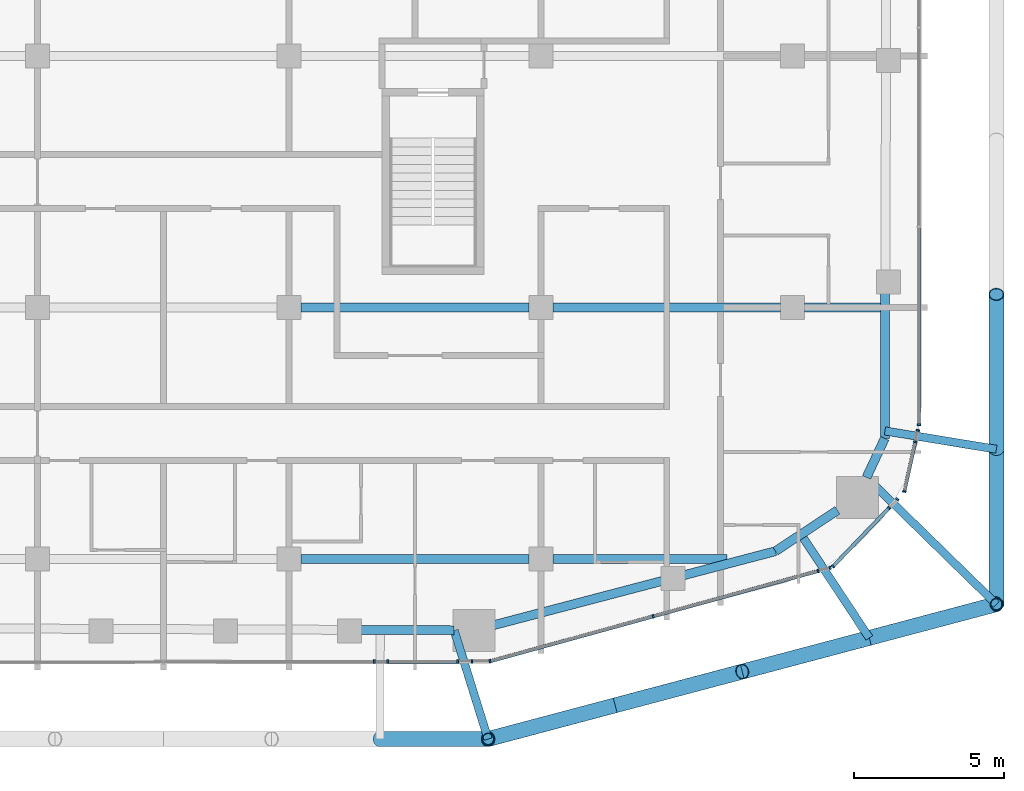
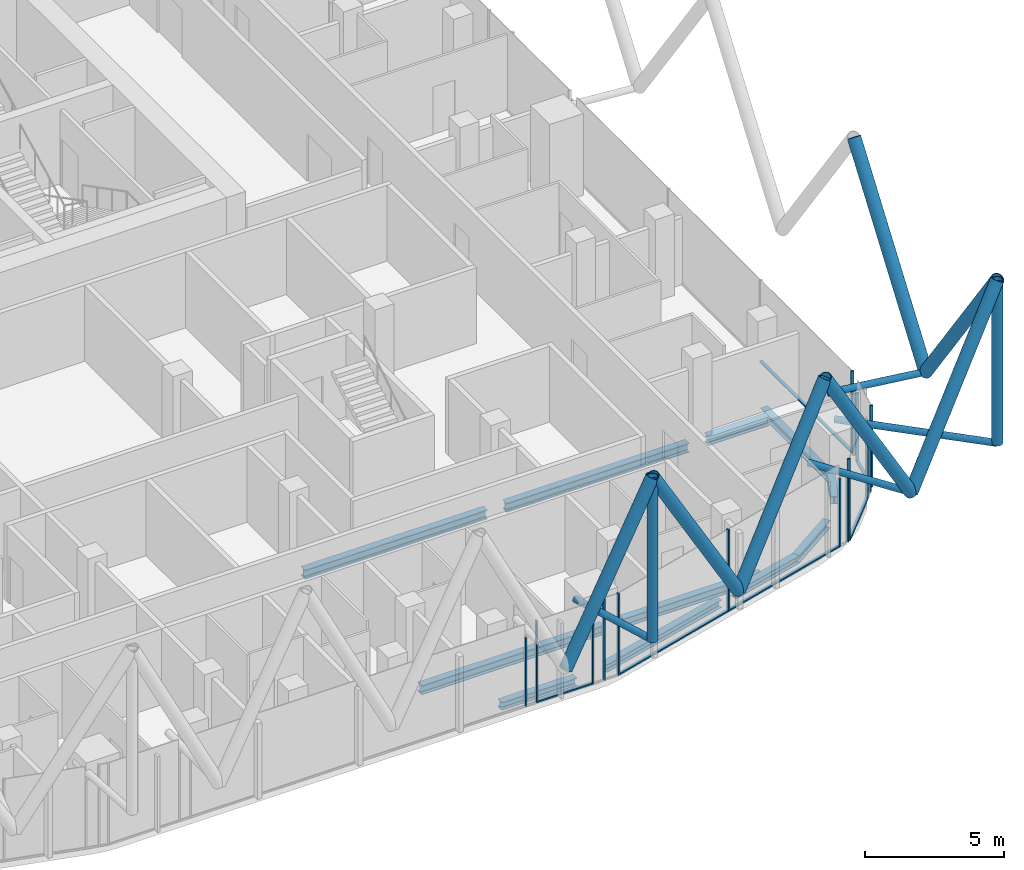
# One storey, part 6 of 31: 34 members, 11 beams, 11 elements without a shape of their own.
"""IFC4 building model written with IfcOpenShell, lengths in metres."""

from ifc_helpers import new_model, si_unit, direction, frame, origin, origin_2d, place, context, subcontext, project, spatial, rectangle, hollow_circle, i_section, extrude, material, layer, layer_set, material_profile, profile_set, type_object, element, aggregate, save


model = new_model("IFC4")

# Units and contexts
model_context = context("Model", 3, precision=1e-05, world=origin(), true_north=direction((0.0, 1.0)))
body_context = subcontext(model_context, "Body", "Model", "MODEL_VIEW")
ifc_project = project(units=[si_unit("LENGTHUNIT", "METRE"), si_unit("AREAUNIT", "SQUARE_METRE"), si_unit("VOLUMEUNIT", "CUBIC_METRE"), si_unit("PLANEANGLEUNIT", "RADIAN"), si_unit("MASSUNIT", "GRAM", prefix="KILO")], contexts=[model_context])

# Site, building, storey
site_placement = place(None, origin())
site = spatial("IfcSite", under=ifc_project, at=site_placement, CompositionType="ELEMENT")
building_placement = place(site_placement, origin())
building = spatial("IfcBuilding", under=site, at=building_placement, Name="Marenta Gate Hotel Tower", CompositionType="ELEMENT")
storey_placement = place(building_placement, frame((0.0, 0.0, 234.5)))
storey = spatial("IfcBuildingStorey", under=building, at=storey_placement, Name="L55", CompositionType="ELEMENT", Elevation=234.5)

# Members
ifc_material_1 = material(Name="Steel S355J2W", Category="steel")
ifc_material_profile_1 = material_profile(ifc_material_1, hollow_circle(Radius=0.203125, WallThickness=0.02490234375, at=origin_2d()), Name="CHS 406.4x25")
ifc_profile_set_1 = profile_set([ifc_material_profile_1], Name="Steel S355J2W")
member_type_1 = type_object("IfcMemberType", Name="Diagrid corner post Z3 CHS 406.4x25", PredefinedType="POST", material=ifc_profile_set_1)
for number, where, z_axis, x_axis, name in (
    (1, (27.800048828125, -26.7001953125, 3.139892578125), (0.0, 0.0, 1.0), (1.0, 0.0, 0.0), "L55-DR-2"),
    (2, (10.839111328125, -31.199951171875, 3.139892578125), (0.0, 0.0, 1.0), (1.0, 0.0, 0.0), "L55-DR-3"),
):
    element("IfcMember", number, at=place(storey_placement, frame(where, z_axis=z_axis, x_axis=x_axis)), inside=storey, type_object=member_type_1, Name=name, PredefinedType="POST", context=body_context, shape_type="SweptSolid", body=[
        extrude(hollow_circle(Radius=0.203125, WallThickness=0.02490234375, at=origin_2d()), origin(), (0.0, 0.0, 1.0), 7.2001953125),
    ])
ifc_material_2 = material(Name="Steel S355J2W", Category="steel")
ifc_material_profile_2 = material_profile(ifc_material_2, hollow_circle(Radius=0.25390625, WallThickness=0.02490234375, at=origin_2d()), Name="CHS 508x25")
ifc_profile_set_2 = profile_set([ifc_material_profile_2], Name="Steel S355J2W")
member_type_2 = type_object("IfcMemberType", Name="Diagrid diagonal Z3 CHS 508x25", PredefinedType="BRACE", material=ifc_profile_set_2)
member_1_placement = place(storey_placement, frame((27.800048828125, -21.530029296875, 3.139892578125), z_axis=(0.0, 0.583247791947, 0.812294289767), x_axis=(-1.0, 0.0, 0.0)))
element("IfcMember", 3, at=member_1_placement, inside=storey, type_object=member_type_2, Name="L55-DG-9", PredefinedType="BRACE", context=body_context, shape_type="SweptSolid", body=[
    extrude(hollow_circle(Radius=0.25390625, WallThickness=0.02490234375, at=origin_2d()), origin(), (0.0, 0.0, 1.0), 8.864013671875),
])
member_2_placement = place(storey_placement, frame((27.800048828125, -21.530029296875, 3.139892578125), z_axis=(0.0, -0.583265964901, 0.81228124082), x_axis=(1.0, 0.0, 0.0)))
element("IfcMember", 4, at=member_2_placement, inside=storey, type_object=member_type_2, Name="L55-DG-10", PredefinedType="BRACE", context=body_context, shape_type="SweptSolid", body=[
    extrude(hollow_circle(Radius=0.25390625, WallThickness=0.02490234375, at=origin_2d()), origin(), (0.0, 0.0, 1.0), 8.8642578125),
])
for number, where, z_axis, x_axis, name in (
    (5, (23.559814453125, -27.8251953125, 3.139892578125), (0.50291158245, 0.13343024942, 0.853976761263), (-0.256443187528, 0.96655930577, 0.0), "L55-DG-11"),
    (6, (23.559814453125, -27.8251953125, 3.139892578125), (-0.50291158245, -0.13343024942, 0.853976761263), (0.256443187528, -0.96655930577, 0.0), "L55-DG-12"),
    (7, (15.079345703125, -30.074951171875, 3.139892578125), (0.502913525317, 0.133401808564, 0.853980060379), (-0.256391194513, 0.966573098827, 0.0), "L55-DG-13"),
    (8, (15.079345703125, -30.074951171875, 3.139892578125), (-0.50291158245, -0.13343024942, 0.853976761263), (0.256443187528, -0.96655930577, 0.0), "L55-DG-14"),
):
    element("IfcMember", number, at=place(storey_placement, frame(where, z_axis=z_axis, x_axis=x_axis)), inside=storey, type_object=member_type_2, Name=name, PredefinedType="BRACE", context=body_context, shape_type="SweptSolid", body=[
        extrude(hollow_circle(Radius=0.25390625, WallThickness=0.02490234375, at=origin_2d()), origin(), (0.0, 0.0, 1.0), 8.431396484375),
    ])
member_3_placement = place(storey_placement, frame((7.22607421875, -31.199951171875, 3.139892578125), z_axis=(0.44849810728, 0.0, 0.893783781329), x_axis=(0.0, 1.0, 0.0)))
element("IfcMember", 9, at=member_3_placement, inside=storey, type_object=member_type_2, Name="L55-DG-15", PredefinedType="BRACE", context=body_context, shape_type="SweptSolid", body=[
    extrude(hollow_circle(Radius=0.25390625, WallThickness=0.02490234375, at=origin_2d()), origin(), (0.0, 0.0, 1.0), 8.055908203125),
])

# Beams
ifc_material_3 = material(Name="Steel S355", Category="steel")
ifc_material_profile_3 = material_profile(ifc_material_3, i_section(OverallWidth=0.300048828125, OverallDepth=0.340087890625, WebThickness=0.011962890625, FlangeThickness=0.021484375, FilletRadius=0.027099609375, at=origin_2d()), Name="HEB 340")
ifc_profile_set_3 = profile_set([ifc_material_profile_3], Name="Steel S355")
beam_type_1 = type_object("IfcBeamType", Name="Edge beam HEB 340", PredefinedType="SPANDREL", material=ifc_profile_set_3)
beam_1_placement = place(storey_placement, frame((24.09130859375, -16.31201171875, -0.429931640625), z_axis=(-0.003318732666, -0.999994492992, 0.0), x_axis=(0.999994492992, -0.003318732666, 0.0)))
element("IfcBeam", 10, at=beam_1_placement, inside=storey, type_object=beam_type_1, Name="L55-EB-27", PredefinedType="SPANDREL", context=body_context, shape_type="SweptSolid", body=[
    extrude(i_section(OverallWidth=0.300048828125, OverallDepth=0.340087890625, WebThickness=0.011962890625, FlangeThickness=0.021484375, FilletRadius=0.027099609375, at=origin_2d()), origin(), (0.0, 0.0, 1.0), 4.855224609375),
])
beam_2_placement = place(storey_placement, frame((24.0751953125, -21.167236328125, -0.429931640625), z_axis=(-0.423341112024, -0.905970365338, 0.0), x_axis=(0.905970365338, -0.423341112024, 0.0)))
element("IfcBeam", 11, at=beam_2_placement, inside=storey, type_object=beam_type_1, Name="L55-EB-28", PredefinedType="SPANDREL", context=body_context, shape_type="SweptSolid", body=[
    extrude(i_section(OverallWidth=0.300048828125, OverallDepth=0.340087890625, WebThickness=0.011962890625, FlangeThickness=0.021484375, FilletRadius=0.027099609375, at=origin_2d()), origin(), (0.0, 0.0, 1.0), 1.437255859375),
])
beam_3_placement = place(storey_placement, frame((22.496337890625, -23.56640625, -0.429931640625), z_axis=(-0.834528740585, -0.550964410047, 0.0), x_axis=(0.550964410047, -0.834528740585, 0.0)))
element("IfcBeam", 12, at=beam_3_placement, inside=storey, type_object=beam_type_1, Name="L55-EB-29", PredefinedType="SPANDREL", context=body_context, shape_type="SweptSolid", body=[
    extrude(i_section(OverallWidth=0.300048828125, OverallDepth=0.340087890625, WebThickness=0.011962890625, FlangeThickness=0.021484375, FilletRadius=0.027099609375, at=origin_2d()), origin(), (0.0, 0.0, 1.0), 2.47705078125),
])
beam_4_placement = place(storey_placement, frame((20.42919921875, -24.93115234375, -0.429931640625), z_axis=(-0.967235227858, -0.253881889845, 0.0), x_axis=(0.253881889845, -0.967235227858, 0.0)))
element("IfcBeam", 13, at=beam_4_placement, inside=storey, type_object=beam_type_1, Name="L55-EB-30", PredefinedType="SPANDREL", context=body_context, shape_type="SweptSolid", body=[
    extrude(i_section(OverallWidth=0.300048828125, OverallDepth=0.340087890625, WebThickness=0.011962890625, FlangeThickness=0.021484375, FilletRadius=0.027099609375, at=origin_2d()), origin(), (0.0, 0.0, 1.0), 3.164794921875),
])
beam_5_placement = place(storey_placement, frame((16.6455078125, -25.92431640625, -0.429931640625), z_axis=(-0.96723496524, -0.253882890359, 0.0), x_axis=(0.253882890359, -0.96723496524, 0.0)))
element("IfcBeam", 14, at=beam_5_placement, inside=storey, type_object=beam_type_1, Name="L55-EB-31", PredefinedType="SPANDREL", context=body_context, shape_type="SweptSolid", body=[
    extrude(i_section(OverallWidth=0.300048828125, OverallDepth=0.340087890625, WebThickness=0.011962890625, FlangeThickness=0.021484375, FilletRadius=0.027099609375, at=origin_2d()), origin(), (0.0, 0.0, 1.0), 5.80810546875),
])
beam_6_placement = place(storey_placement, frame((9.706298828125, -27.570068359375, -0.429931640625), z_axis=(-0.999992678531, 0.003826602206, 0.0), x_axis=(-0.003826602206, -0.999992678531, 0.0)))
element("IfcBeam", 15, at=beam_6_placement, inside=storey, type_object=beam_type_1, Name="L55-EB-32", PredefinedType="SPANDREL", context=body_context, shape_type="SweptSolid", body=[
    extrude(i_section(OverallWidth=0.300048828125, OverallDepth=0.340087890625, WebThickness=0.011962890625, FlangeThickness=0.021484375, FilletRadius=0.027099609375, at=origin_2d()), origin(), (0.0, 0.0, 1.0), 3.126220703125),
])

# Members
ifc_material_4 = material(Name="Steel S355J2W", Category="steel")
ifc_material_profile_4 = material_profile(ifc_material_4, hollow_circle(Radius=0.136474609375, WallThickness=0.012451171875, at=origin_2d()), Name="CHS 273x12.5")
ifc_profile_set_4 = profile_set([ifc_material_profile_4], Name="Steel S355J2W")
member_type_3 = type_object("IfcMemberType", Name="Floor tie CHS 273x12.5", PredefinedType="STRUT", material=ifc_profile_set_4)
member_4_placement = place(storey_placement, frame((27.800048828125, -21.530029296875, 3.139892578125), z_axis=(-0.986729812745, 0.162370799838, 0.0), x_axis=(-0.162370799838, -0.986729812745, 0.0)))
element("IfcMember", 16, at=member_4_placement, inside=storey, type_object=member_type_3, Name="L55-DR-10", PredefinedType="STRUT", context=body_context, shape_type="SweptSolid", body=[
    extrude(hollow_circle(Radius=0.136474609375, WallThickness=0.012451171875, at=origin_2d()), origin(), (0.0, 0.0, 1.0), 3.76806640625),
])
member_5_placement = place(storey_placement, frame((27.800048828125, -26.7001953125, 3.139892578125), z_axis=(-0.715510328178, 0.698602154499, 0.0), x_axis=(-0.698602154499, -0.715510328178, 0.0)))
element("IfcMember", 17, at=member_5_placement, inside=storey, type_object=member_type_3, Name="L55-DR-11", PredefinedType="STRUT", context=body_context, shape_type="SweptSolid", body=[
    extrude(hollow_circle(Radius=0.136474609375, WallThickness=0.012451171875, at=origin_2d()), origin(), (0.0, 0.0, 1.0), 6.050048828125),
])
member_6_placement = place(storey_placement, frame((23.559814453125, -27.8251953125, 3.139892578125), z_axis=(-0.550987823012, 0.834513282634, 0.0), x_axis=(-0.834513282634, -0.550987823012, 0.0)))
element("IfcMember", 18, at=member_6_placement, inside=storey, type_object=member_type_3, Name="L55-DR-12", PredefinedType="STRUT", context=body_context, shape_type="SweptSolid", body=[
    extrude(hollow_circle(Radius=0.136474609375, WallThickness=0.012451171875, at=origin_2d()), origin(), (0.0, 0.0, 1.0), 4.134033203125),
])
member_7_placement = place(storey_placement, frame((10.839111328125, -31.199951171875, 3.139892578125), z_axis=(-0.297897789013, 0.954597772521, 0.0), x_axis=(-0.954597772521, -0.297897789013, 0.0)))
element("IfcMember", 19, at=member_7_placement, inside=storey, type_object=member_type_3, Name="L55-DR-13", PredefinedType="STRUT", context=body_context, shape_type="SweptSolid", body=[
    extrude(hollow_circle(Radius=0.136474609375, WallThickness=0.012451171875, at=origin_2d()), origin(), (0.0, 0.0, 1.0), 3.796142578125),
])

# Beams
ifc_material_5 = material(Name="Steel S355", Category="steel")
ifc_material_profile_5 = material_profile(ifc_material_5, i_section(OverallWidth=0.300048828125, OverallDepth=0.39990234375, WebThickness=0.013427734375, FlangeThickness=0.02392578125, FilletRadius=0.027099609375, at=origin_2d()), Name="HEB 400")
ifc_profile_set_5 = profile_set([ifc_material_profile_5], Name="Steel S355")
beam_type_2 = type_object("IfcBeamType", Name="Girder HEB 400", PredefinedType="BEAM", material=ifc_profile_set_5)
beam_7_placement = place(storey_placement, frame((4.60009765625, -25.199951171875, -0.4599609375), z_axis=(1.0, 0.0, 0.0), x_axis=(0.0, 1.0, 0.0)))
element("IfcBeam", 20, at=beam_7_placement, inside=storey, type_object=beam_type_2, Name="L55-GD-4", PredefinedType="BEAM", context=body_context, shape_type="SweptSolid", body=[
    extrude(i_section(OverallWidth=0.300048828125, OverallDepth=0.39990234375, WebThickness=0.013427734375, FlangeThickness=0.02392578125, FilletRadius=0.027099609375, at=origin_2d()), origin(), (0.0, 0.0, 1.0), 7.599853515625),
])
beam_8_placement = place(storey_placement, frame((13.0, -25.199951171875, -0.4599609375), z_axis=(1.0, 0.0, 0.0), x_axis=(0.0, 1.0, 0.0)))
element("IfcBeam", 21, at=beam_8_placement, inside=storey, type_object=beam_type_2, Name="L55-GD-5", PredefinedType="BEAM", context=body_context, shape_type="SweptSolid", body=[
    extrude(i_section(OverallWidth=0.300048828125, OverallDepth=0.39990234375, WebThickness=0.013427734375, FlangeThickness=0.02392578125, FilletRadius=0.027099609375, at=origin_2d()), origin(), (0.0, 0.0, 1.0), 5.81396484375),
])
beam_9_placement = place(storey_placement, frame((4.60009765625, -16.800048828125, -0.4599609375), z_axis=(1.0, 0.0, 0.0), x_axis=(0.0, 1.0, 0.0)))
element("IfcBeam", 22, at=beam_9_placement, inside=storey, type_object=beam_type_2, Name="L55-GD-10", PredefinedType="BEAM", context=body_context, shape_type="SweptSolid", body=[
    extrude(i_section(OverallWidth=0.300048828125, OverallDepth=0.39990234375, WebThickness=0.013427734375, FlangeThickness=0.02392578125, FilletRadius=0.027099609375, at=origin_2d()), origin(), (0.0, 0.0, 1.0), 7.599853515625),
])
beam_10_placement = place(storey_placement, frame((13.0, -16.800048828125, -0.4599609375), z_axis=(1.0, 0.0, 0.0), x_axis=(0.0, 1.0, 0.0)))
element("IfcBeam", 23, at=beam_10_placement, inside=storey, type_object=beam_type_2, Name="L55-GD-11", PredefinedType="BEAM", context=body_context, shape_type="SweptSolid", body=[
    extrude(i_section(OverallWidth=0.300048828125, OverallDepth=0.39990234375, WebThickness=0.013427734375, FlangeThickness=0.02392578125, FilletRadius=0.027099609375, at=origin_2d()), origin(), (0.0, 0.0, 1.0), 7.60009765625),
])
beam_11_placement = place(storey_placement, frame((21.39990234375, -16.800048828125, -0.4599609375), z_axis=(1.0, 0.0, 0.0), x_axis=(0.0, 1.0, 0.0)))
element("IfcBeam", 24, at=beam_11_placement, inside=storey, type_object=beam_type_2, Name="L55-GD-12", PredefinedType="BEAM", context=body_context, shape_type="SweptSolid", body=[
    extrude(i_section(OverallWidth=0.300048828125, OverallDepth=0.39990234375, WebThickness=0.013427734375, FlangeThickness=0.02392578125, FilletRadius=0.027099609375, at=origin_2d()), origin(), (0.0, 0.0, 1.0), 2.539794921875),
])

# Curtain wall, member
ifc_material_6 = material(Name="Tinted insulated glass in bronze anodised frame", Category="glass")
ifc_layer = layer(ifc_material_6, 0.1201171875)
ifc_layer_set = layer_set([ifc_layer], Name="Tinted insulated glass in bronze anodised frame")
curtain_wall_type = type_object("IfcCurtainWallType", Name="Tower unitised curtain wall CW1", PredefinedType="NOTDEFINED", material=ifc_layer_set)
curtain_wall_1_placement = place(storey_placement, origin())
curtain_wall_1 = element("IfcCurtainWall", 25, at=curtain_wall_1_placement, inside=storey, type_object=curtain_wall_type, Name="CW1 run G22", PredefinedType="NOTDEFINED")
ifc_material_7 = material(Name="Bronze anodised aluminium", Category="aluminium")
ifc_material_profile_6 = material_profile(ifc_material_7, rectangle(XDim=0.1201171875, YDim=0.06005859375, at=origin_2d()), Name="Mullion CW1 60x120 bronze anodised aluminium")
ifc_profile_set_6 = profile_set([ifc_material_profile_6], Name="Bronze anodised aluminium")
member_type_4 = type_object("IfcMemberType", Name="Mullion CW1 60x120 bronze anodised aluminium", PredefinedType="MULLION", material=ifc_profile_set_6)
member_8_placement = place(storey_placement, frame((7.039306640625, -28.618896484375, 0.0), z_axis=(0.0, 0.0, 1.0), x_axis=(-0.001765611905, 0.999998441306, 0.0)))
member_8 = element("IfcMember", 26, at=member_8_placement, type_object=member_type_4, Name="CW1 mullion 1", PredefinedType="MULLION", context=body_context, shape_type="SweptSolid", body=[
    extrude(rectangle(XDim=0.1201171875, YDim=0.06005859375, at=origin_2d()), origin(), (0.0, 0.0, 1.0), 3.00048828125),
])
aggregate(curtain_wall_1, [member_8])

curtain_wall_2_placement = place(storey_placement, origin())
curtain_wall_2 = element("IfcCurtainWall", 27, at=curtain_wall_2_placement, inside=storey, type_object=curtain_wall_type, Name="CW1 run G23", PredefinedType="NOTDEFINED")
member_9_placement = place(storey_placement, frame((7.492431640625, -28.6181640625, 0.0), z_axis=(0.0, 0.0, 1.0), x_axis=(-0.001629220957, 0.999998672819, 0.0)))
member_9 = element("IfcMember", 28, at=member_9_placement, type_object=member_type_4, Name="CW1 mullion 1", PredefinedType="MULLION", context=body_context, shape_type="SweptSolid", body=[
    extrude(rectangle(XDim=0.1201171875, YDim=0.06005859375, at=origin_2d()), origin(), (0.0, 0.0, 1.0), 3.60009765625),
])

curtain_wall_3_placement = place(storey_placement, origin())
curtain_wall_3 = element("IfcCurtainWall", 29, at=curtain_wall_3_placement, inside=storey, type_object=curtain_wall_type, Name="CW1 run G24", PredefinedType="NOTDEFINED")
member_10_placement = place(storey_placement, frame((9.824951171875, -28.6142578125, 0.0), z_axis=(0.0, 0.0, 1.0), x_axis=(-0.001686693784, 0.999998577531, 0.0)))
member_10 = element("IfcMember", 30, at=member_10_placement, type_object=member_type_4, Name="CW1 mullion 1", PredefinedType="MULLION", context=body_context, shape_type="SweptSolid", body=[
    extrude(rectangle(XDim=0.1201171875, YDim=0.06005859375, at=origin_2d()), origin(), (0.0, 0.0, 1.0), 3.00048828125),
])
aggregate(curtain_wall_3, [member_10])

curtain_wall_4_placement = place(storey_placement, origin())
curtain_wall_4 = element("IfcCurtainWall", 31, at=curtain_wall_4_placement, inside=storey, type_object=curtain_wall_type, Name="CW1 run G25", PredefinedType="NOTDEFINED")
member_11_placement = place(storey_placement, frame((10.29931640625, -28.613525390625, 0.0), z_axis=(0.0, 0.0, 1.0), x_axis=(-0.001654257461, 0.999998631715, 0.0)))
member_11 = element("IfcMember", 32, at=member_11_placement, type_object=member_type_4, Name="CW1 mullion 1", PredefinedType="MULLION", context=body_context, shape_type="SweptSolid", body=[
    extrude(rectangle(XDim=0.1201171875, YDim=0.06005859375, at=origin_2d()), origin(), (0.0, 0.0, 1.0), 3.60009765625),
])
aggregate(curtain_wall_4, [member_11])

# Curtain wall, members
curtain_wall_5_placement = place(storey_placement, origin())
curtain_wall_5 = element("IfcCurtainWall", 33, at=curtain_wall_5_placement, inside=storey, type_object=curtain_wall_type, Name="CW1 run G26", PredefinedType="NOTDEFINED")
member_12_placement = place(storey_placement, frame((10.902587890625, -28.6044921875, 0.0), z_axis=(0.0, 0.0, 1.0), x_axis=(-0.265293853742, 0.964167605329, 0.0)))
member_12 = element("IfcMember", 34, at=member_12_placement, type_object=member_type_4, Name="CW1 mullion 1", PredefinedType="MULLION", context=body_context, shape_type="SweptSolid", body=[
    extrude(rectangle(XDim=0.1201171875, YDim=0.06005859375, at=origin_2d()), origin(), (0.0, 0.0, 1.0), 3.60009765625),
])
member_13_placement = place(storey_placement, frame((16.3466796875, -27.106689453125, 0.0), z_axis=(0.0, 0.0, 1.0), x_axis=(-0.265293853742, 0.964167605329, 0.0)))
member_13 = element("IfcMember", 35, at=member_13_placement, type_object=member_type_4, Name="CW1 mullion 2", PredefinedType="MULLION", context=body_context, shape_type="SweptSolid", body=[
    extrude(rectangle(XDim=0.1201171875, YDim=0.06005859375, at=origin_2d()), origin(), (0.0, 0.0, 1.0), 3.60009765625),
])

curtain_wall_6_placement = place(storey_placement, origin())
curtain_wall_6 = element("IfcCurtainWall", 36, at=curtain_wall_6_placement, inside=storey, type_object=curtain_wall_type, Name="CW1 run G27", PredefinedType="NOTDEFINED")
member_14_placement = place(storey_placement, frame((21.8486328125, -25.5927734375, 0.0), z_axis=(0.0, 0.0, 1.0), x_axis=(-0.265283308776, 0.964170506749, 0.0)))
member_14 = element("IfcMember", 37, at=member_14_placement, type_object=member_type_4, Name="CW1 mullion 1", PredefinedType="MULLION", context=body_context, shape_type="SweptSolid", body=[
    extrude(rectangle(XDim=0.1201171875, YDim=0.06005859375, at=origin_2d()), origin(), (0.0, 0.0, 1.0), 3.00048828125),
])
member_15_placement = place(storey_placement, frame((22.25, -25.482177734375, 0.0), z_axis=(0.0, 0.0, 1.0), x_axis=(-0.265283308776, 0.964170506749, 0.0)))
member_15 = element("IfcMember", 38, at=member_15_placement, type_object=member_type_4, Name="CW1 mullion 2", PredefinedType="MULLION", context=body_context, shape_type="SweptSolid", body=[
    extrude(rectangle(XDim=0.1201171875, YDim=0.06005859375, at=origin_2d()), origin(), (0.0, 0.0, 1.0), 3.00048828125),
])
aggregate(curtain_wall_6, [member_14, member_15])

# Curtain wall, member
curtain_wall_7_placement = place(storey_placement, origin())
curtain_wall_7 = element("IfcCurtainWall", 39, at=curtain_wall_7_placement, inside=storey, type_object=curtain_wall_type, Name="CW1 run G28", PredefinedType="NOTDEFINED")
member_16_placement = place(storey_placement, frame((22.345458984375, -25.43994140625, 0.0), z_axis=(0.0, 0.0, 1.0), x_axis=(-0.721374796599, 0.692544874237, 0.0)))
member_16 = element("IfcMember", 40, at=member_16_placement, type_object=member_type_4, Name="CW1 mullion 1", PredefinedType="MULLION", context=body_context, shape_type="SweptSolid", body=[
    extrude(rectangle(XDim=0.1201171875, YDim=0.06005859375, at=origin_2d()), origin(), (0.0, 0.0, 1.0), 3.60009765625),
])

# Curtain wall, members
curtain_wall_8_placement = place(storey_placement, origin())
curtain_wall_8 = element("IfcCurtainWall", 41, at=curtain_wall_8_placement, inside=storey, type_object=curtain_wall_type, Name="CW1 run G29", PredefinedType="NOTDEFINED")
member_17_placement = place(storey_placement, frame((24.22412109375, -23.4833984375, 0.0), z_axis=(0.0, 0.0, 1.0), x_axis=(-0.721418199888, 0.692499661278, 0.0)))
member_17 = element("IfcMember", 42, at=member_17_placement, type_object=member_type_4, Name="CW1 mullion 1", PredefinedType="MULLION", context=body_context, shape_type="SweptSolid", body=[
    extrude(rectangle(XDim=0.1201171875, YDim=0.06005859375, at=origin_2d()), origin(), (0.0, 0.0, 1.0), 3.00048828125),
])
member_18_placement = place(storey_placement, frame((24.496337890625, -23.199951171875, 0.0), z_axis=(0.0, 0.0, 1.0), x_axis=(-0.721418199888, 0.692499661278, 0.0)))
member_18 = element("IfcMember", 43, at=member_18_placement, type_object=member_type_4, Name="CW1 mullion 2", PredefinedType="MULLION", context=body_context, shape_type="SweptSolid", body=[
    extrude(rectangle(XDim=0.1201171875, YDim=0.06005859375, at=origin_2d()), origin(), (0.0, 0.0, 1.0), 3.00048828125),
])
aggregate(curtain_wall_8, [member_17, member_18])

# Curtain wall, member
curtain_wall_9_placement = place(storey_placement, origin())
curtain_wall_9 = element("IfcCurtainWall", 44, at=curtain_wall_9_placement, inside=storey, type_object=curtain_wall_type, Name="CW1 run G30", PredefinedType="NOTDEFINED")
member_19_placement = place(storey_placement, frame((24.726806640625, -22.937255859375, 0.0), z_axis=(0.0, 0.0, 1.0), x_axis=(-0.97621206153, 0.21681792113, 0.0)))
member_19 = element("IfcMember", 45, at=member_19_placement, type_object=member_type_4, Name="CW1 mullion 1", PredefinedType="MULLION", context=body_context, shape_type="SweptSolid", body=[
    extrude(rectangle(XDim=0.1201171875, YDim=0.06005859375, at=origin_2d()), origin(), (0.0, 0.0, 1.0), 3.60009765625),
])

# Curtain wall, members
curtain_wall_10_placement = place(storey_placement, origin())
curtain_wall_10 = element("IfcCurtainWall", 46, at=curtain_wall_10_placement, inside=storey, type_object=curtain_wall_type, Name="CW1 run G31", PredefinedType="NOTDEFINED")
member_20_placement = place(storey_placement, frame((25.093994140625, -21.283935546875, 0.0), z_axis=(0.0, 0.0, 1.0), x_axis=(-0.976197431319, 0.216883782439, 0.0)))
member_20 = element("IfcMember", 47, at=member_20_placement, type_object=member_type_4, Name="CW1 mullion 1", PredefinedType="MULLION", context=body_context, shape_type="SweptSolid", body=[
    extrude(rectangle(XDim=0.1201171875, YDim=0.06005859375, at=origin_2d()), origin(), (0.0, 0.0, 1.0), 3.00048828125),
])
member_21_placement = place(storey_placement, frame((25.179443359375, -20.899658203125, 0.0), z_axis=(0.0, 0.0, 1.0), x_axis=(-0.976197431319, 0.216883782439, 0.0)))
member_21 = element("IfcMember", 48, at=member_21_placement, type_object=member_type_4, Name="CW1 mullion 2", PredefinedType="MULLION", context=body_context, shape_type="SweptSolid", body=[
    extrude(rectangle(XDim=0.1201171875, YDim=0.06005859375, at=origin_2d()), origin(), (0.0, 0.0, 1.0), 3.00048828125),
])
aggregate(curtain_wall_10, [member_20, member_21])

# Curtain wall, member
curtain_wall_11_placement = place(storey_placement, origin())
curtain_wall_11 = element("IfcCurtainWall", 49, at=curtain_wall_11_placement, inside=storey, type_object=curtain_wall_type, Name="CW1 run G32", PredefinedType="NOTDEFINED")
member_22_placement = place(storey_placement, frame((25.214111328125, -20.7138671875, 0.0), z_axis=(0.0, 0.0, 1.0), x_axis=(-1.0, 0.0, 0.0)))
member_22 = element("IfcMember", 50, at=member_22_placement, type_object=member_type_4, Name="CW1 mullion 1", PredefinedType="MULLION", context=body_context, shape_type="SweptSolid", body=[
    extrude(rectangle(XDim=0.1201171875, YDim=0.06005859375, at=origin_2d()), origin(), (0.0, 0.0, 1.0), 3.60009765625),
])

# Member
ifc_material_8 = material(Name="Bronze anodised aluminium", Category="aluminium")
ifc_material_profile_7 = material_profile(ifc_material_8, rectangle(XDim=0.1201171875, YDim=0.06005859375, at=origin_2d()), Name="Transom CW1 60x120 bronze anodised aluminium")
ifc_profile_set_7 = profile_set([ifc_material_profile_7], Name="Bronze anodised aluminium")
member_type_5 = type_object("IfcMemberType", Name="Transom CW1 60x120 bronze anodised aluminium", PredefinedType="USERDEFINED", material=ifc_profile_set_7)
member_23_placement = place(storey_placement, frame((7.5224609375, -28.617919921875, 0.030029296875), z_axis=(0.999998701509, 0.001611514882, 0.0), x_axis=(-0.001611514882, 0.999998701509, 0.0)))
member_23 = element("IfcMember", 51, at=member_23_placement, type_object=member_type_5, Name="CW1 transom 1.1", ObjectType="TRANSOM", PredefinedType="USERDEFINED", context=body_context, shape_type="SweptSolid", body=[
    extrude(rectangle(XDim=0.1201171875, YDim=0.06005859375, at=origin_2d()), origin(), (0.0, 0.0, 1.0), 2.2724609375),
])

aggregate(curtain_wall_2, [member_9, member_23])

member_24_placement = place(storey_placement, frame((10.931640625, -28.5966796875, 0.030029296875), z_axis=(0.964158168869, 0.265328146648, 0.0), x_axis=(-0.265328146648, 0.964158168869, 0.0)))
member_24 = element("IfcMember", 52, at=member_24_placement, type_object=member_type_5, Name="CW1 transom 1.1", ObjectType="TRANSOM", PredefinedType="USERDEFINED", context=body_context, shape_type="SweptSolid", body=[
    extrude(rectangle(XDim=0.1201171875, YDim=0.06005859375, at=origin_2d()), origin(), (0.0, 0.0, 1.0), 5.586181640625),
])

member_25_placement = place(storey_placement, frame((16.37548828125, -27.0986328125, 0.030029296875), z_axis=(0.964163650311, 0.265308227199, 0.0), x_axis=(-0.265308227199, 0.964163650311, 0.0)))
member_25 = element("IfcMember", 53, at=member_25_placement, type_object=member_type_5, Name="CW1 transom 2.1", ObjectType="TRANSOM", PredefinedType="USERDEFINED", context=body_context, shape_type="SweptSolid", body=[
    extrude(rectangle(XDim=0.1201171875, YDim=0.06005859375, at=origin_2d()), origin(), (0.0, 0.0, 1.0), 5.646484375),
])

aggregate(curtain_wall_5, [member_12, member_13, member_24, member_25])

member_26_placement = place(storey_placement, frame((22.366455078125, -25.41845703125, 0.030029296875), z_axis=(0.692508837001, 0.721409391868, 0.0), x_axis=(-0.721409391868, 0.692508837001, 0.0)))
member_26 = element("IfcMember", 54, at=member_26_placement, type_object=member_type_5, Name="CW1 transom 1.1", ObjectType="TRANSOM", PredefinedType="USERDEFINED", context=body_context, shape_type="SweptSolid", body=[
    extrude(rectangle(XDim=0.1201171875, YDim=0.06005859375, at=origin_2d()), origin(), (0.0, 0.0, 1.0), 2.652587890625),
])

aggregate(curtain_wall_7, [member_16, member_26])

member_27_placement = place(storey_placement, frame((24.7333984375, -22.907958984375, 0.030029296875), z_axis=(0.216708908034, 0.976236267088, 0.0), x_axis=(-0.976236267088, 0.216708908034, 0.0)))
member_27 = element("IfcMember", 55, at=member_27_placement, type_object=member_type_5, Name="CW1 transom 1.1", ObjectType="TRANSOM", PredefinedType="USERDEFINED", context=body_context, shape_type="SweptSolid", body=[
    extrude(rectangle(XDim=0.1201171875, YDim=0.06005859375, at=origin_2d()), origin(), (0.0, 0.0, 1.0), 1.633544921875),
])

aggregate(curtain_wall_9, [member_19, member_27])

member_28_placement = place(storey_placement, frame((25.214111328125, -20.683837890625, 0.030029296875), z_axis=(0.0, 1.0, 0.0), x_axis=(-1.0, 0.0, 0.0)))
member_28 = element("IfcMember", 56, at=member_28_placement, type_object=member_type_5, Name="CW1 transom 1.1", ObjectType="TRANSOM", PredefinedType="USERDEFINED", context=body_context, shape_type="SweptSolid", body=[
    extrude(rectangle(XDim=0.1201171875, YDim=0.06005859375, at=origin_2d()), origin(), (0.0, 0.0, 1.0), 6.55029296875),
])

aggregate(curtain_wall_11, [member_22, member_28])

save(model, "model.ifc")
